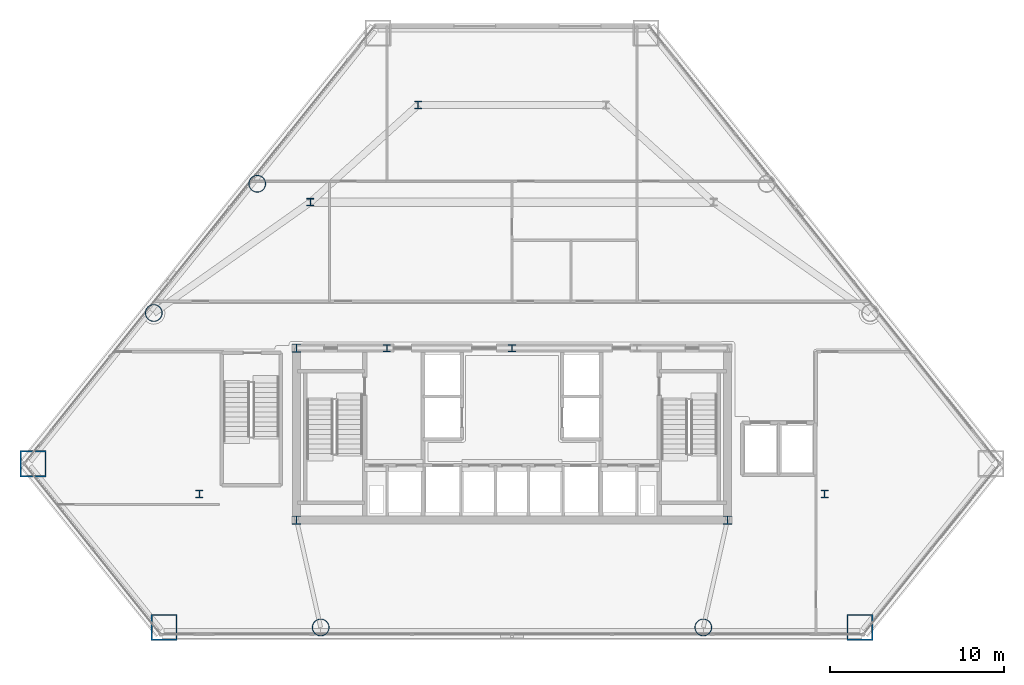
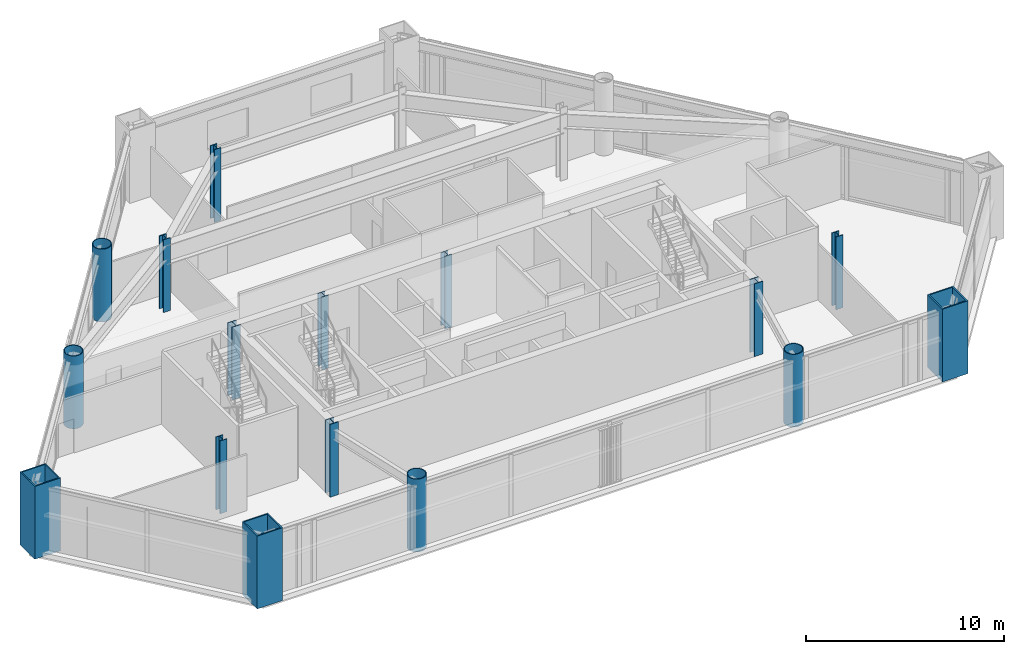
# One storey, part 1 of 13: 16 columns.
"""IFC4 building model written with IfcOpenShell, lengths in metres."""

from ifc_helpers import new_model, si_unit, direction, frame, origin, origin_2d, place, context, subcontext, project, spatial, hollow_rectangle, hollow_circle, i_section, extrude, material, material_profile, profile_set, type_object, element, save


model = new_model("IFC4")

# Units and contexts
model_context = context("Model", 3, precision=1e-05, world=origin(), true_north=direction((0.0, 1.0)))
body_context = subcontext(model_context, "Body", "Model", "MODEL_VIEW")
ifc_project = project(units=[si_unit("LENGTHUNIT", "METRE"), si_unit("AREAUNIT", "SQUARE_METRE"), si_unit("VOLUMEUNIT", "CUBIC_METRE"), si_unit("PLANEANGLEUNIT", "RADIAN"), si_unit("MASSUNIT", "GRAM", prefix="KILO")], contexts=[model_context])

# Site, building, storey
site_placement = place(None, origin())
site = spatial("IfcSite", under=ifc_project, at=site_placement, CompositionType="ELEMENT")
building_placement = place(site_placement, origin())
building = spatial("IfcBuilding", under=site, at=building_placement, Name="Talgorran Terracotta Tower", CompositionType="ELEMENT")
storey_placement = place(building_placement, frame((0.0, 0.0, 14.39990234375)))
storey = spatial("IfcBuildingStorey", under=building, at=storey_placement, Name="L03", CompositionType="ELEMENT", Elevation=14.39990234375)

# Columns
ifc_material_1 = material(Name="Steel S355 (300PLUS)", Category="steel")
ifc_material_profile_1 = material_profile(ifc_material_1, i_section(OverallWidth=0.39990234375, OverallDepth=0.43994140625, WebThickness=0.028076171875, FlangeThickness=0.0400390625, at=origin_2d()), Name="400WC328")
ifc_profile_set_1 = profile_set([ifc_material_profile_1], Name="Steel S355 (300PLUS)")
column_type_1 = type_object("IfcColumnType", Name="COL_400WC328", PredefinedType="COLUMN", material=ifc_profile_set_1)
for number, where, z_axis, x_axis, name in (
    (1, (-18.0, -12.60009765625, 0.0), (0.0, 0.0, 1.0), (1.0, 0.0, 0.0), "L03 Podium Column PC1"),
    (2, (18.0, -12.60009765625, 0.0), (0.0, 0.0, 1.0), (1.0, 0.0, 0.0), "L03 Podium Column PC2"),
    (3, (-11.60009765625, 4.199951171875, 0.0), (0.0, 0.0, 1.0), (1.0, 0.0, 0.0), "L03 Podium Column PC3"),
    (4, (-5.39990234375, 9.800048828125, 0.0), (0.0, 0.0, 1.0), (1.0, 0.0, 0.0), "L03 Podium Column PC5"),
):
    element("IfcColumn", number, at=place(storey_placement, frame(where, z_axis=z_axis, x_axis=x_axis)), inside=storey, type_object=column_type_1, Name=name, PredefinedType="COLUMN", context=body_context, shape_type="SweptSolid", body=[
        extrude(i_section(OverallWidth=0.39990234375, OverallDepth=0.43994140625, WebThickness=0.028076171875, FlangeThickness=0.0400390625, at=origin_2d()), origin(), (0.0, 0.0, 1.0), 4.5),
    ])
ifc_material_profile_2 = material_profile(ifc_material_1, i_section(OverallWidth=0.5, OverallDepth=0.48193359375, WebThickness=0.0400390625, FlangeThickness=0.044921875, at=origin_2d()), Name="500WC440")
ifc_profile_set_2 = profile_set([ifc_material_profile_2], Name="Steel S355 (300PLUS)")
column_type_2 = type_object("IfcColumnType", Name="COL_500WC440", PredefinedType="COLUMN", material=ifc_profile_set_2)
for number, where, z_axis, x_axis, name in (
    (5, (-12.39990234375, -14.10009765625, 0.0), (0.0, 0.0, 1.0), (1.0, 0.0, 0.0), "L03 Core Boundary Column CC1"),
    (6, (12.39990234375, -14.10009765625, 0.0), (0.0, 0.0, 1.0), (1.0, 0.0, 0.0), "L03 Core Boundary Column CC2"),
    (7, (-12.39990234375, -4.199951171875, 0.0), (0.0, 0.0, 1.0), (1.0, 0.0, 0.0), "L03 Core Boundary Column CC4"),
):
    element("IfcColumn", number, at=place(storey_placement, frame(where, z_axis=z_axis, x_axis=x_axis)), inside=storey, type_object=column_type_2, Name=name, PredefinedType="COLUMN", context=body_context, shape_type="SweptSolid", body=[
        extrude(i_section(OverallWidth=0.5, OverallDepth=0.48193359375, WebThickness=0.0400390625, FlangeThickness=0.044921875, at=origin_2d()), origin(), (0.0, 0.0, 1.0), 4.5),
    ])
ifc_material_2 = material(Name="Steel Grade 350 (350L0)", Category="steel")
ifc_material_profile_3 = material_profile(ifc_material_2, hollow_rectangle(XDim=1.5, YDim=1.5, WallThickness=0.074951171875, at=origin_2d()), Name="CFT1500X1500X75")
ifc_profile_set_3 = profile_set([ifc_material_profile_3], Name="Steel Grade 350 (350L0)")
column_type_3 = type_object("IfcColumnType", Name="COL_CFT_1500", PredefinedType="COLUMN", material=ifc_profile_set_3)
for number, where, z_axis, x_axis, name in (
    (8, (-27.56982421875, -10.85595703125, 0.0), (0.0, 0.0, 1.0), (1.0, 0.0, 0.0), "L03 Corner CFT Mega-Column MC1"),
    (9, (-20.022216796875, -20.280029296875, 0.0), (0.0, 0.0, 1.0), (1.0, 0.0, 0.0), "L03 Corner CFT Mega-Column MC2"),
    (10, (20.022216796875, -20.280029296875, 0.0), (0.0, 0.0, 1.0), (1.0, 0.0, 0.0), "L03 Corner CFT Mega-Column MC3"),
):
    element("IfcColumn", number, at=place(storey_placement, frame(where, z_axis=z_axis, x_axis=x_axis)), inside=storey, type_object=column_type_3, Name=name, PredefinedType="COLUMN", context=body_context, shape_type="SweptSolid", body=[
        extrude(hollow_rectangle(XDim=1.5, YDim=1.5, WallThickness=0.074951171875, at=origin_2d()), origin(), (0.0, 0.0, 1.0), 4.5),
    ])
ifc_material_profile_4 = material_profile(ifc_material_2, hollow_circle(Radius=0.5, WallThickness=0.044921875, at=origin_2d()), Name="CHS1000X45")
ifc_profile_set_4 = profile_set([ifc_material_profile_4], Name="Steel Grade 350 (350L0)")
column_type_4 = type_object("IfcColumnType", Name="COL_CHS_1000", PredefinedType="COLUMN", material=ifc_profile_set_4)
for number, where, z_axis, x_axis, name in (
    (11, (-11.01220703125, -20.280029296875, 0.0), (0.0, 0.0, 1.0), (1.0, 0.0, 0.0), "L03 Facet Perimeter Column FC1"),
    (12, (11.01220703125, -20.280029296875, 0.0), (0.0, 0.0, 1.0), (1.0, 0.0, 0.0), "L03 Facet Perimeter Column FC2"),
    (13, (-14.663818359375, 5.2587890625, 0.0), (0.0, 0.0, 1.0), (1.0, 0.0, 0.0), "L03 Facet Perimeter Column FC5"),
    (14, (-20.620361328125, -2.1787109375, 0.0), (0.0, 0.0, 1.0), (1.0, 0.0, 0.0), "L03 Facet Perimeter Column FC6"),
):
    element("IfcColumn", number, at=place(storey_placement, frame(where, z_axis=z_axis, x_axis=x_axis)), inside=storey, type_object=column_type_4, Name=name, PredefinedType="COLUMN", context=body_context, shape_type="SweptSolid", body=[
        extrude(hollow_circle(Radius=0.5, WallThickness=0.044921875, at=origin_2d()), origin(), (0.0, 0.0, 1.0), 4.5),
    ])
ifc_material_profile_5 = material_profile(ifc_material_1, i_section(OverallWidth=0.405029296875, OverallDepth=0.4140625, WebThickness=0.02197265625, FlangeThickness=0.031982421875, at=origin_2d()), Name="400WC270")
ifc_profile_set_5 = profile_set([ifc_material_profile_5], Name="Steel S355 (300PLUS)")
column_type_5 = type_object("IfcColumnType", Name="COL_PIL_400WC270", PredefinedType="PILASTER", material=ifc_profile_set_5)
for number, where, z_axis, x_axis, name in (
    (15, (-7.199951171875, -4.199951171875, 0.0), (0.0, 0.0, 1.0), (1.0, 0.0, 0.0), "L03 Core Shear Pilaster CP1"),
    (16, (0.0, -4.199951171875, 0.0), (0.0, 0.0, 1.0), (1.0, 0.0, 0.0), "L03 Core Shear Pilaster CP2"),
):
    element("IfcColumn", number, at=place(storey_placement, frame(where, z_axis=z_axis, x_axis=x_axis)), inside=storey, type_object=column_type_5, Name=name, PredefinedType="PILASTER", context=body_context, shape_type="SweptSolid", body=[
        extrude(i_section(OverallWidth=0.405029296875, OverallDepth=0.4140625, WebThickness=0.02197265625, FlangeThickness=0.031982421875, at=origin_2d()), origin(), (0.0, 0.0, 1.0), 4.5),
    ])

save(model, "model.ifc")
